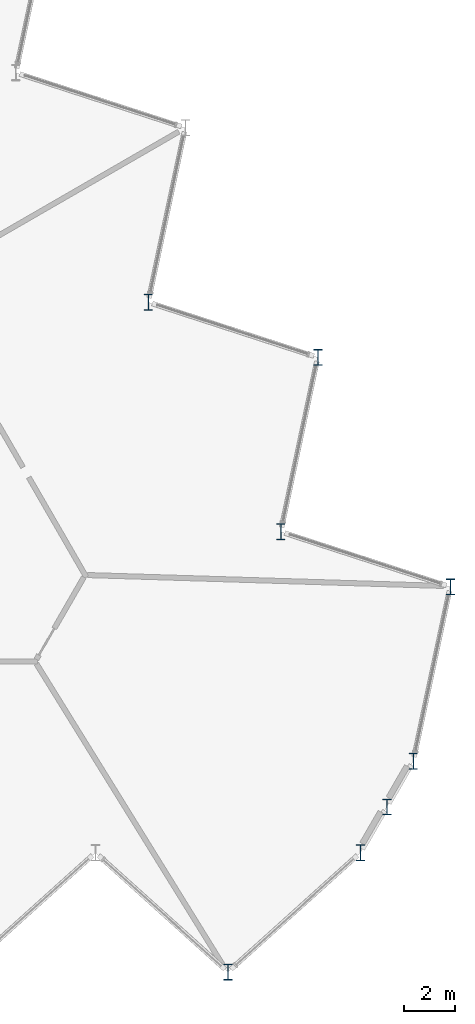
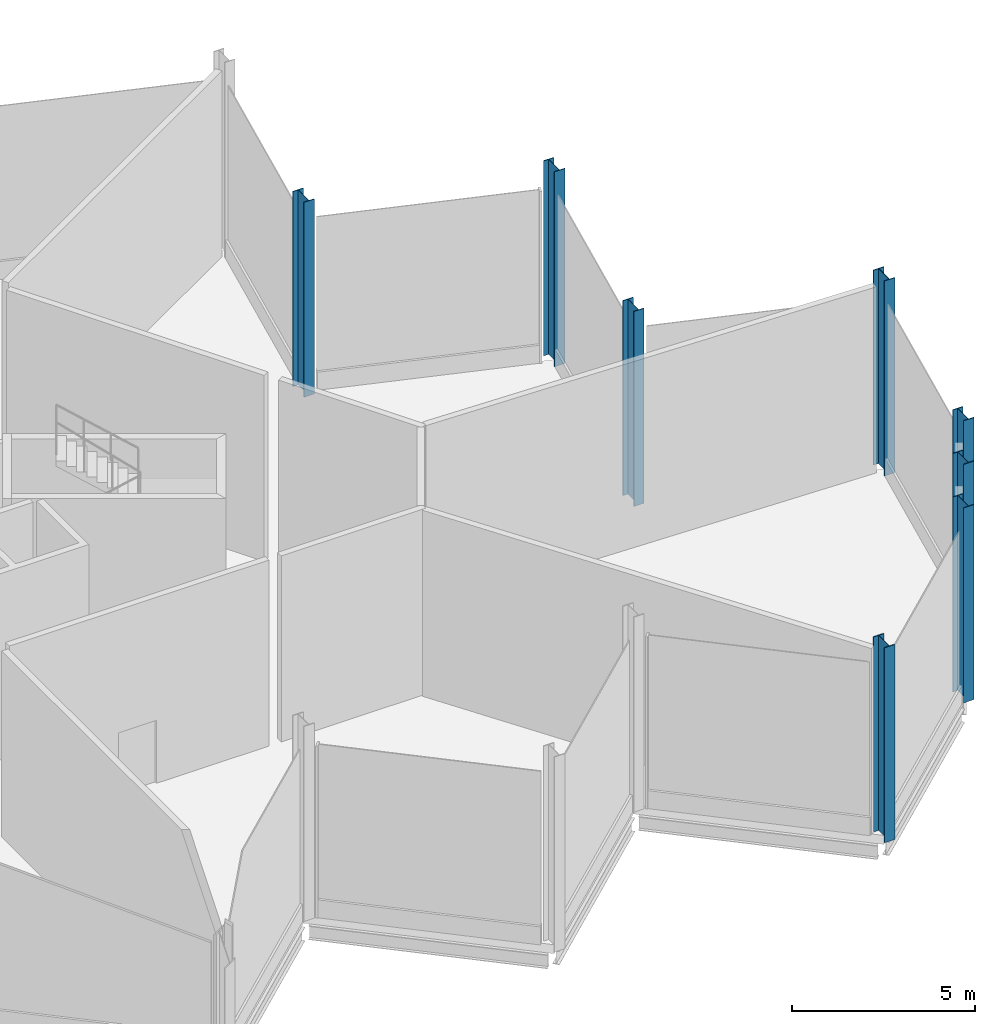
# One storey, part 2 of 12: 8 columns.
"""IFC4 building model written with IfcOpenShell, lengths in metres."""

import ifcopenshell
import ifcopenshell.guid

model = None  # the IFC model being written
_history = None  # IfcOwnerHistory: only IFC2X3 demands one
_inside = {}  # id of a spatial element -> (the spatial element, [elements in it])
_under = {}  # id of a project, library or spatial element -> (it, [spatial elements below it])
_declared = {}  # id of a project -> (the project, [libraries it declares])
_typed = {}  # id of a type object -> (the type object, [elements of that type])
_made_of = {}  # id of a material, layer set ... -> (it, [elements and type objects made of it])


def new_model(schema):
    """Start an empty IFC model of exactly this schema.

    Asked for "IFC4X3", IfcOpenShell would pick the latest addendum, in which some entities
    have other attributes; the version numbers below select the first issue.
    IFC2X3 requires an IfcOwnerHistory on every rooted entity: one is made here for all.
    """
    global model, _history
    if schema == "IFC4X3":
        model = ifcopenshell.file(schema_version=(4, 3, 0, 0))
    else:
        model = ifcopenshell.file(schema=schema)
    _inside.clear()
    _under.clear()
    _declared.clear()
    _typed.clear()
    _made_of.clear()
    _history = None
    if model.schema == "IFC2X3":
        org = make("IfcOrganization", Name="unknown")
        user = make(
            "IfcPersonAndOrganization",
            ThePerson=make("IfcPerson", FamilyName="unknown"),
            TheOrganization=org,
        )
        app = make(
            "IfcApplication",
            ApplicationDeveloper=org,
            Version="unknown",
            ApplicationFullName="unknown",
            ApplicationIdentifier="unknown",
        )
        _history = make(
            "IfcOwnerHistory",
            OwningUser=user,
            OwningApplication=app,
            ChangeAction="ADDED",
            CreationDate=0,
        )
    return model


def make(cls, **values):
    """One entity of the class cls with the attributes given. An attribute that is None is left unset."""
    return model.create_entity(
        cls, **{name: value for name, value in values.items() if value is not None}
    )


def rooted(cls, **values):
    """An entity with a GlobalId (a new one), such as an element, a storey or a relation."""
    return make(cls, GlobalId=ifcopenshell.guid.new(), OwnerHistory=_history, **values)


def si_unit(unit_type, name, prefix=None):
    """IfcSIUnit, for example si_unit("LENGTHUNIT", "METRE", prefix="MILLI")."""
    return make("IfcSIUnit", UnitType=unit_type, Prefix=prefix, Name=name)


def assignment(units):
    """IfcUnitAssignment: the units of a project."""
    return None if units is None else make("IfcUnitAssignment", Units=units)


def point(xyz):
    """IfcCartesianPoint."""
    return None if xyz is None else make("IfcCartesianPoint", Coordinates=xyz)


def direction(xyz):
    """IfcDirection."""
    return None if xyz is None else make("IfcDirection", DirectionRatios=xyz)


def frame(location, z_axis=None, x_axis=None):
    """IfcAxis2Placement3D, a coordinate frame: its origin and axes. An axis left out is left unset."""
    return make(
        "IfcAxis2Placement3D",
        Location=point(location),
        Axis=direction(z_axis),
        RefDirection=direction(x_axis),
    )


def frame_2d(location, x_axis=None):
    """IfcAxis2Placement2D, a coordinate frame in the plane: its origin and x axis."""
    return make(
        "IfcAxis2Placement2D", Location=point(location), RefDirection=direction(x_axis)
    )


def origin():
    """The frame at (0, 0, 0) with its axes left unset."""
    return frame((0.0, 0.0, 0.0))


def origin_2d():
    """The frame at (0, 0) in the plane with its x axis left unset."""
    return frame_2d((0.0, 0.0))


def place(relative_to, where):
    """IfcLocalPlacement: puts the frame where relative to a parent placement (None: the world)."""
    return make(
        "IfcLocalPlacement", PlacementRelTo=relative_to, RelativePlacement=where
    )


def context(
    kind, dimensions, precision=None, world=None, true_north=None, identifier=None
):
    """IfcGeometricRepresentationContext, for example the 3D "Model" context."""
    return make(
        "IfcGeometricRepresentationContext",
        ContextIdentifier=identifier,
        ContextType=kind,
        CoordinateSpaceDimension=dimensions,
        Precision=precision,
        WorldCoordinateSystem=world,
        TrueNorth=true_north,
    )


def subcontext(parent, identifier, kind, view, scale=None):
    """IfcGeometricRepresentationSubContext, for example "Body" below "Model"."""
    return make(
        "IfcGeometricRepresentationSubContext",
        ContextIdentifier=identifier,
        ContextType=kind,
        ParentContext=parent,
        TargetScale=scale,
        TargetView=view,
    )


def project(units=None, contexts=None):
    """IfcProject with its units and contexts."""
    return rooted(
        "IfcProject",
        Name="project",
        RepresentationContexts=contexts,
        UnitsInContext=assignment(units),
    )


def spatial(cls, under=None, at=None, **own):
    """A site, building, storey or space (cls), placed at a placement, below another one or the project."""
    s = rooted(cls, ObjectPlacement=at, **own)
    if under is not None:
        _under.setdefault(under.id(), (under, []))[1].append(s)
    return s


def profile(cls, at=None, kind="AREA", **sizes):
    """A parametric profile (cls). Its sizes go by their IFC names, for example OverallWidth=200.0."""
    return make(cls, ProfileType=kind, Position=at, **sizes)


def i_section(**sizes):
    """IfcIShapeProfileDef."""
    return profile("IfcIShapeProfileDef", **sizes)


def extrude(swept, where, along, depth):
    """IfcExtrudedAreaSolid: the profile swept, set in the frame where, extruded along a direction by depth."""
    return make(
        "IfcExtrudedAreaSolid",
        SweptArea=swept,
        Position=where,
        ExtrudedDirection=direction(along),
        Depth=depth,
    )


def shape(context_of_items, identifier, shape_type, items):
    """IfcShapeRepresentation: the items that make up one representation, for example the "Body"."""
    return make(
        "IfcShapeRepresentation",
        ContextOfItems=context_of_items,
        RepresentationIdentifier=identifier,
        RepresentationType=shape_type,
        Items=items,
    )


def material(Name=None, Category=None):
    """IfcMaterial."""
    return make("IfcMaterial", Name=Name, Category=Category)


def material_profile(
    of_material, cross_section, Name=None, Category=None, Priority=None
):
    """IfcMaterialProfile: a cross section and its material."""
    return make(
        "IfcMaterialProfile",
        Name=Name,
        Material=of_material,
        Profile=cross_section,
        Priority=Priority,
        Category=Category,
    )


def profile_set(profiles, Name=None, composite=None):
    """IfcMaterialProfileSet."""
    return make(
        "IfcMaterialProfileSet",
        Name=Name,
        MaterialProfiles=profiles,
        CompositeProfile=composite,
    )


def made_of(thing, what):
    """Note that an element or type object is made of a material, layer set ...; save() writes the relation."""
    if what is not None:
        _made_of.setdefault(what.id(), (what, []))[1].append(thing)
    return thing


def type_object(cls, material=None, **own):
    """A type object (cls), such as IfcWallType, which elements share."""
    return made_of(rooted(cls, **own), material)


def element(
    cls,
    number,
    at=None,
    inside=None,
    cuts=None,
    type_object=None,
    material=None,
    context=None,
    identifier="Body",
    shape_type=None,
    held_by="IfcProductDefinitionShape",
    body=None,
    shapes=None,
    **own,
):
    """One element of the class cls, such as IfcWall. Its Tag is "e" and its number.

    at: its placement. inside: the storey or other place that contains it. cuts: it is an
    opening in that element (IfcRelVoidsElement). A single representation is given by context,
    identifier, shape_type and body (its items); several are given by shapes. held_by: the class
    of the entity that holds the representations. save() writes the other relations.
    """
    e = rooted(cls, Tag="e%d" % number, ObjectPlacement=at, **own)
    if body is not None:
        shapes = [shape(context, identifier, shape_type, body)]
    if shapes is not None:
        e.Representation = make(held_by, Representations=shapes)
    if inside is not None:
        _inside.setdefault(inside.id(), (inside, []))[1].append(e)
    if cuts is not None:
        rooted(
            "IfcRelVoidsElement", RelatingBuildingElement=cuts, RelatedOpeningElement=e
        )
    if type_object is not None:
        _typed.setdefault(type_object.id(), (type_object, []))[1].append(e)
    return made_of(e, material)


def aggregate(whole, parts):
    """IfcRelAggregates: a whole, such as a stair, and the parts it consists of."""
    return rooted("IfcRelAggregates", RelatingObject=whole, RelatedObjects=parts)


def save(model, path):
    """Write the relations noted so far, then the file.

    IfcRelAggregates (storeys below a building ...), IfcRelContainedInSpatialStructure (elements
    in a storey), IfcRelDefinesByType, IfcRelAssociatesMaterial and IfcRelDeclares: one each for
    every whole, place, type object, material and project.
    """
    for whole, parts in _under.values():
        aggregate(whole, parts)
    for where, things in _inside.values():
        rooted(
            "IfcRelContainedInSpatialStructure",
            RelatedElements=things,
            RelatingStructure=where,
        )
    for kind, things in _typed.values():
        rooted("IfcRelDefinesByType", RelatedObjects=things, RelatingType=kind)
    for what, things in _made_of.values():
        rooted("IfcRelAssociatesMaterial", RelatedObjects=things, RelatingMaterial=what)
    for by, libraries in _declared.values():
        rooted("IfcRelDeclares", RelatingContext=by, RelatedDefinitions=libraries)
    model.write(path)


model = new_model("IFC4")

# Units and contexts
model_context = context("Model", 3, precision=1e-05, world=origin(), true_north=direction((0.0, 1.0)))
body_context = subcontext(model_context, "Body", "Model", "MODEL_VIEW")
ifc_project = project(units=[si_unit("LENGTHUNIT", "METRE"), si_unit("AREAUNIT", "SQUARE_METRE"), si_unit("VOLUMEUNIT", "CUBIC_METRE"), si_unit("PLANEANGLEUNIT", "RADIAN"), si_unit("MASSUNIT", "GRAM", prefix="KILO")], contexts=[model_context])

# Site, building, storey
site_placement = place(None, origin())
site = spatial("IfcSite", under=ifc_project, at=site_placement, CompositionType="ELEMENT")
building_placement = place(site_placement, origin())
building = spatial("IfcBuilding", under=site, at=building_placement, Name="Cormorant Prow Tower", CompositionType="ELEMENT")
storey_placement = place(building_placement, frame((0.0, 0.0, 415.199951171875)))
storey = spatial("IfcBuildingStorey", under=building, at=storey_placement, Name="L94", CompositionType="ELEMENT", Elevation=415.199951171875)

# Columns
ifc_material = material(Name="Structural steel ASTM A992 Gr 50", Category="steel")
ifc_material_profile = material_profile(ifc_material, i_section(OverallWidth=0.326416015625, OverallDepth=0.621826171875, WebThickness=0.015380859375, FlangeThickness=0.0244140625, at=origin_2d()), Name="W24x131")
ifc_profile_set = profile_set([ifc_material_profile], Name="Structural steel ASTM A992 Gr 50")
column_type = type_object("IfcColumnType", Name="Crown frame column W24x131", PredefinedType="COLUMN", material=ifc_profile_set)
for number, where, z_axis, x_axis, name in (
    (1, (20.800048828125, -22.087890625, 0.0), (0.0, 0.0, 1.0), (1.0, 0.0, 0.0), "Crown frame column at S09 L94"),
    (2, (26.0, -17.40576171875, 0.0), (0.0, 0.0, 1.0), (1.0, 0.0, 0.0), "Crown frame column at ESE00 L94"),
    (3, (27.036865234375, -15.60986328125, 0.0), (0.0, 0.0, 1.0), (1.0, 0.0, 0.0), "Crown frame column at ESE01 L94"),
    (4, (28.07373046875, -13.813720703125, 0.0), (0.0, 0.0, 1.0), (1.0, 0.0, 0.0), "Crown frame column at ENE00 L94"),
    (5, (29.528564453125, -6.969482421875, 0.0), (0.0, 0.0, 1.0), (1.0, 0.0, 0.0), "Crown frame column at ENE01 L94"),
    (6, (22.873779296875, -4.80712890625, 0.0), (0.0, 0.0, 1.0), (1.0, 0.0, 0.0), "Crown frame column at ENE02 L94"),
    (7, (24.32861328125, 2.037353515625, 0.0), (0.0, 0.0, 1.0), (1.0, 0.0, 0.0), "Crown frame column at ENE03 L94"),
    (8, (17.673828125, 4.199462890625, 0.0), (0.0, 0.0, 1.0), (1.0, 0.0, 0.0), "Crown frame column at ENE04 L94"),
):
    element("IfcColumn", number, at=place(storey_placement, frame(where, z_axis=z_axis, x_axis=x_axis)), inside=storey, type_object=column_type, Name=name, PredefinedType="COLUMN", context=body_context, shape_type="SweptSolid", body=[
        extrude(i_section(OverallWidth=0.326416015625, OverallDepth=0.621826171875, WebThickness=0.015380859375, FlangeThickness=0.0244140625, at=origin_2d()), origin(), (0.0, 0.0, 1.0), 6.5),
    ])

save(model, "model.ifc")
